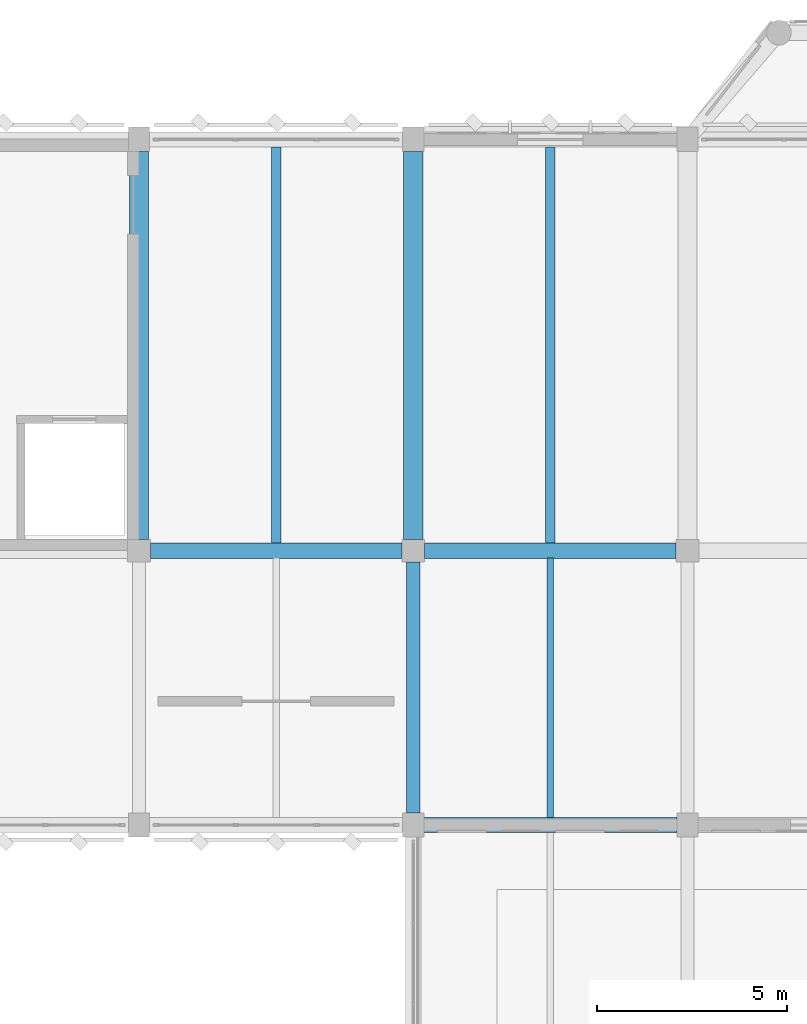
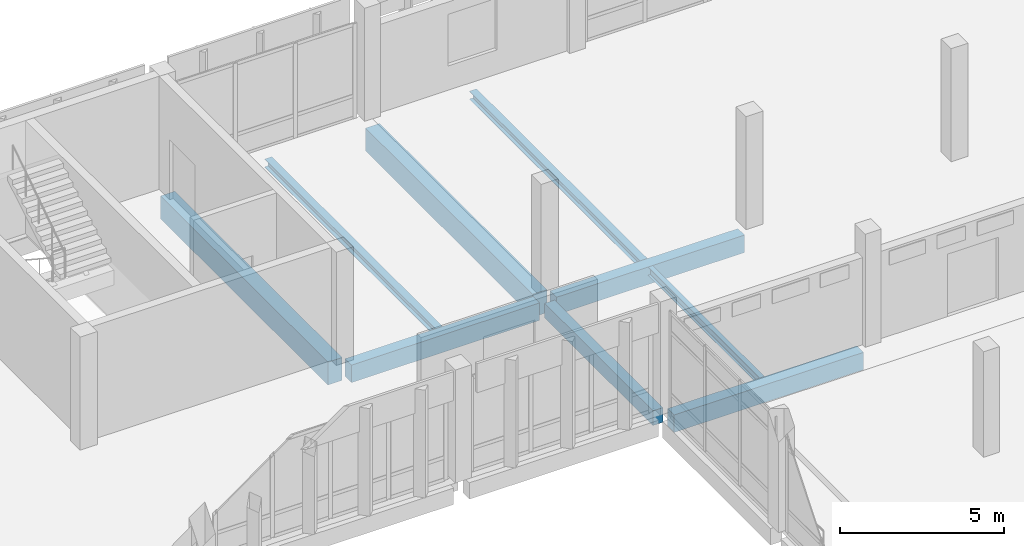
# One storey, part 68 of 158: 9 beams.
"""IFC4 building model written with IfcOpenShell, lengths in metres."""

from ifc_helpers import new_model, si_unit, direction, frame, origin, origin_2d, place, context, subcontext, project, spatial, rectangle, i_section, extrude, material, material_profile, profile_set, type_object, element, save


model = new_model("IFC4")

# Units and contexts
model_context = context("Model", 3, precision=1e-05, world=origin(), true_north=direction((0.0, 1.0)))
body_context = subcontext(model_context, "Body", "Model", "MODEL_VIEW")
ifc_project = project(units=[si_unit("LENGTHUNIT", "METRE"), si_unit("AREAUNIT", "SQUARE_METRE"), si_unit("VOLUMEUNIT", "CUBIC_METRE"), si_unit("PLANEANGLEUNIT", "RADIAN"), si_unit("MASSUNIT", "GRAM", prefix="KILO")], contexts=[model_context])

# Site, building, storey
site_placement = place(None, origin())
site = spatial("IfcSite", under=ifc_project, at=site_placement, CompositionType="ELEMENT")
building_placement = place(site_placement, origin())
building = spatial("IfcBuilding", under=site, at=building_placement, Name="Lusvemor Sports Hall", CompositionType="ELEMENT")
storey_placement = place(building_placement, frame((0.0, 0.0, 10.800048828125)))
storey = spatial("IfcBuildingStorey", under=building, at=storey_placement, Name="L02", CompositionType="ELEMENT", Elevation=10.800048828125)

# Beams
ifc_material_1 = material(Name="Concrete C40/50", Category="concrete")
ifc_material_profile_1 = material_profile(ifc_material_1, rectangle(XDim=0.35009765625, YDim=0.550048828125, at=origin_2d()), Name="RC350x550")
ifc_profile_set_1 = profile_set([ifc_material_profile_1], Name="Concrete C40/50")
beam_type_1 = type_object("IfcBeamType", Name="BEAM_RC_550", PredefinedType="BEAM", material=ifc_profile_set_1)
beam_1_placement = place(storey_placement, frame((118.800048828125, 97.51611328125, -0.53515625), z_axis=(0.0, 1.0, 0.0), x_axis=(-1.0, 0.0, 0.0)))
element("IfcBeam", 1, at=beam_1_placement, inside=storey, type_object=beam_type_1, Name="Beam L02 13:N-P", PredefinedType="BEAM", context=body_context, shape_type="SweptSolid", body=[
    extrude(rectangle(XDim=0.35009765625, YDim=0.550048828125, at=origin_2d()), origin(), (0.0, 0.0, 1.0), 6.587890625),
])
ifc_material_2 = material(Name="Concrete C40/50", Category="concrete")
ifc_material_profile_2 = material_profile(ifc_material_2, rectangle(XDim=0.39990234375, YDim=0.64990234375, at=origin_2d()), Name="RC400x650")
ifc_profile_set_2 = profile_set([ifc_material_profile_2], Name="Concrete C40/50")
beam_type_2 = type_object("IfcBeamType", Name="BEAM_RC_650", PredefinedType="BEAM", material=ifc_profile_set_2)
beam_2_placement = place(storey_placement, frame((119.075927734375, 97.199951171875, -0.5849609375), z_axis=(1.0, 0.0, 0.0), x_axis=(0.0, 1.0, 0.0)))
element("IfcBeam", 2, at=beam_2_placement, inside=storey, type_object=beam_type_2, Name="Beam L02 N:13-14", PredefinedType="BEAM", context=body_context, shape_type="SweptSolid", body=[
    extrude(rectangle(XDim=0.39990234375, YDim=0.64990234375, at=origin_2d()), origin(), (0.0, 0.0, 1.0), 6.648193359375),
])
beam_3_placement = place(storey_placement, frame((111.89599609375, 104.39990234375, -0.5849609375), z_axis=(1.0, 0.0, 0.0), x_axis=(0.0, 1.0, 0.0)))
element("IfcBeam", 3, at=beam_3_placement, inside=storey, type_object=beam_type_2, Name="Beam L02 P:12-13", PredefinedType="BEAM", context=body_context, shape_type="SweptSolid", body=[
    extrude(rectangle(XDim=0.39990234375, YDim=0.64990234375, at=origin_2d()), origin(), (0.0, 0.0, 1.0), 6.60791015625),
])
beam_4_placement = place(storey_placement, frame((119.095947265625, 104.39990234375, -0.5849609375), z_axis=(1.0, 0.0, 0.0), x_axis=(0.0, 1.0, 0.0)))
element("IfcBeam", 4, at=beam_4_placement, inside=storey, type_object=beam_type_2, Name="Beam L02 P:13-14", PredefinedType="BEAM", context=body_context, shape_type="SweptSolid", body=[
    extrude(rectangle(XDim=0.39990234375, YDim=0.64990234375, at=origin_2d()), origin(), (0.0, 0.0, 1.0), 6.608154296875),
])
ifc_material_3 = material(Name="Concrete C40/50", Category="concrete")
ifc_material_profile_3 = material_profile(ifc_material_3, rectangle(XDim=0.5, YDim=0.85009765625, at=origin_2d()), Name="RC500x850")
ifc_profile_set_3 = profile_set([ifc_material_profile_3], Name="Concrete C40/50")
beam_type_3 = type_object("IfcBeamType", Name="GIRD_RC_850", PredefinedType="T_BEAM", material=ifc_profile_set_3)
for number, where, z_axis, x_axis, name in (
    (5, (111.60009765625, 104.696044921875, -0.68505859375), (0.0, 1.0, 0.0), (-1.0, 0.0, 0.0), "Beam L02 12:P-Q"),
    (6, (118.800048828125, 104.696044921875, -0.68505859375), (0.0, 1.0, 0.0), (-1.0, 0.0, 0.0), "Beam L02 13:P-Q"),
):
    element("IfcBeam", number, at=place(storey_placement, frame(where, z_axis=z_axis, x_axis=x_axis)), inside=storey, type_object=beam_type_3, Name=name, PredefinedType="T_BEAM", context=body_context, shape_type="SweptSolid", body=[
        extrude(rectangle(XDim=0.5, YDim=0.85009765625, at=origin_2d()), origin(), (0.0, 0.0, 1.0), 10.18798828125),
    ])
ifc_material_4 = material(Name="Steel S355", Category="steel")
ifc_material_profile_4 = material_profile(ifc_material_4, i_section(OverallWidth=0.25390625, OverallDepth=0.305908203125, WebThickness=0.0087890625, FlangeThickness=0.0146484375, FilletRadius=0.014892578125, at=origin_2d()), Name="W310x79.0")
ifc_profile_set_4 = profile_set([ifc_material_profile_4], Name="Steel S355")
beam_type_4 = type_object("IfcBeamType", Name="JOIST_ST_310H", PredefinedType="JOIST", material=ifc_profile_set_4)
for number, where, z_axis, x_axis, name in (
    (7, (115.199951171875, 104.595947265625, -0.4169921875), (0.0, 1.0, 0.0), (-1.0, 0.0, 0.0), "Secondary Joist L02 12-13/P-Q #1"),
    (8, (122.39990234375, 104.595947265625, -0.4169921875), (0.0, 1.0, 0.0), (-1.0, 0.0, 0.0), "Secondary Joist L02 13-14/P-Q #1"),
):
    element("IfcBeam", number, at=place(storey_placement, frame(where, z_axis=z_axis, x_axis=x_axis)), inside=storey, type_object=beam_type_4, Name=name, PredefinedType="JOIST", context=body_context, shape_type="SweptSolid", body=[
        extrude(i_section(OverallWidth=0.25390625, OverallDepth=0.305908203125, WebThickness=0.0087890625, FlangeThickness=0.0146484375, FilletRadius=0.014892578125, at=origin_2d()), origin(), (0.0, 0.0, 1.0), 10.407958984375),
    ])
ifc_material_5 = material(Name="Steel S355", Category="steel")
ifc_material_profile_5 = material_profile(ifc_material_5, i_section(OverallWidth=0.1669921875, OverallDepth=0.31689453125, WebThickness=0.007568359375, FlangeThickness=0.01318359375, FilletRadius=0.014892578125, at=origin_2d()), Name="W310x52.0")
ifc_profile_set_5 = profile_set([ifc_material_profile_5], Name="Steel S355")
beam_type_5 = type_object("IfcBeamType", Name="JOIST_ST_310M", PredefinedType="JOIST", material=ifc_profile_set_5)
beam_5_placement = place(storey_placement, frame((122.39990234375, 97.39599609375, -0.422607421875), z_axis=(0.0, 1.0, 0.0), x_axis=(-1.0, 0.0, 0.0)))
element("IfcBeam", 9, at=beam_5_placement, inside=storey, type_object=beam_type_5, Name="Secondary Joist L02 13-14/N-P #1", PredefinedType="JOIST", context=body_context, shape_type="SweptSolid", body=[
    extrude(i_section(OverallWidth=0.1669921875, OverallDepth=0.31689453125, WebThickness=0.007568359375, FlangeThickness=0.01318359375, FilletRadius=0.014892578125, at=origin_2d()), origin(), (0.0, 0.0, 1.0), 6.80810546875),
])

save(model, "model.ifc")
